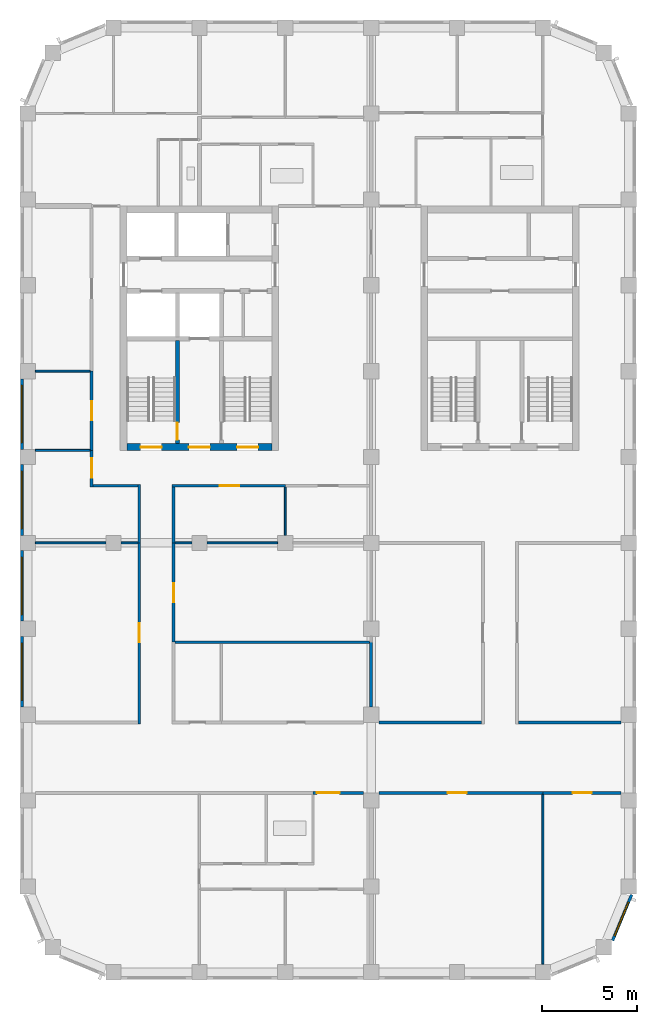
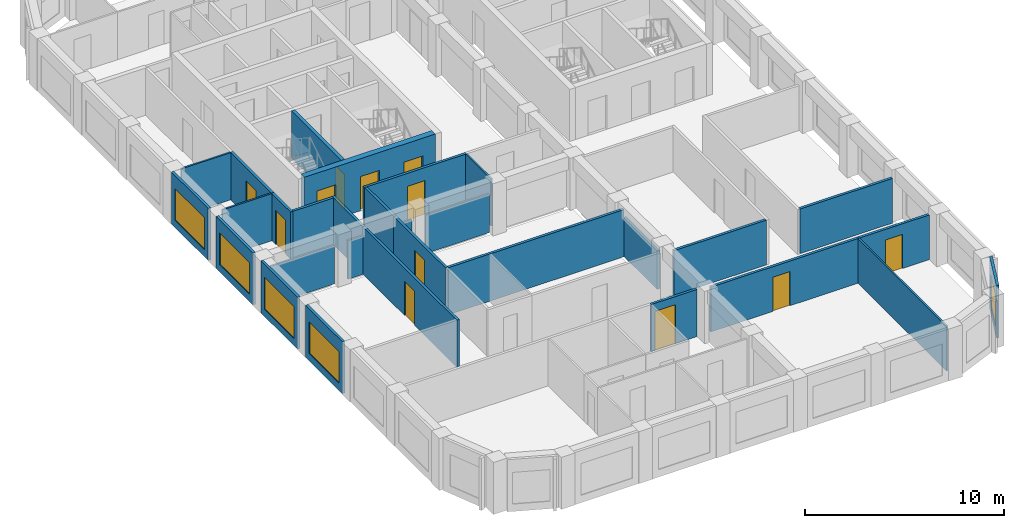
# One storey, part 3 of 9: 30 walls, 12 doors, 5 windows, 17 openings.
"""IFC4 building model written with IfcOpenShell, lengths in metres."""

from ifc_helpers import new_model, si_unit, direction, frame, frame_2d, origin, place, context, subcontext, project, spatial, rectangle, extrude, material, layer, layer_set, type_object, element, fill, save


model = new_model("IFC4")

# Units and contexts
model_context = context("Model", 3, precision=1e-05, world=origin(), true_north=direction((0.0, 1.0)))
body_context = subcontext(model_context, "Body", "Model", "MODEL_VIEW")
ifc_project = project(units=[si_unit("LENGTHUNIT", "METRE"), si_unit("AREAUNIT", "SQUARE_METRE"), si_unit("VOLUMEUNIT", "CUBIC_METRE"), si_unit("PLANEANGLEUNIT", "RADIAN"), si_unit("MASSUNIT", "GRAM", prefix="KILO")], contexts=[model_context])

# Site, building, storey
site_placement = place(None, origin())
site = spatial("IfcSite", under=ifc_project, at=site_placement, CompositionType="ELEMENT")
building_placement = place(site_placement, origin())
building = spatial("IfcBuilding", under=site, at=building_placement, Name="Girih Gate Residences", CompositionType="ELEMENT")
storey_placement = place(building_placement, frame((0.0, 0.0, 213.294921875)))
storey = spatial("IfcBuildingStorey", under=building, at=storey_placement, Name="L59", CompositionType="ELEMENT", Elevation=213.294921875)

# Wall, opening, door
ifc_material_1 = material(Name="Gypsum board on steel studs", Category="steel")
ifc_layer_1 = layer(ifc_material_1, 0.14990234375)
ifc_layer_set_1 = layer_set([ifc_layer_1], Name="Compartment wall 150 mm")
wall_type_1 = type_object("IfcWallType", Name="Compartment wall 150 mm", PredefinedType="PARTITIONING", material=ifc_layer_set_1)
wall_1_placement = place(storey_placement, frame((17.60009765625, 9.39990234375, 0.0), z_axis=(0.0, 0.0, 1.0), x_axis=(-1.0, 0.0, 0.0)))
wall_1 = element("IfcWall", 1, at=wall_1_placement, inside=storey, type_object=wall_type_1, Name="L59 partition", PredefinedType="PARTITIONING", context=body_context, shape_type="SweptSolid", body=[
    extrude(rectangle(XDim=2.650146484375, YDim=0.14990234375, at=frame_2d((1.3251953125, 0.0))), origin(), (0.0, 0.0, 1.0), 2.900146484375),
])
opening_1_placement = place(wall_1_placement, frame((1.25, 0.0, 0.0)))
opening_1 = element("IfcOpeningElement", 2, at=opening_1_placement, cuts=wall_1, Name="Opening A59-006", PredefinedType="OPENING", context=body_context, shape_type="SweptSolid", body=[
    extrude(rectangle(XDim=1.199951171875, YDim=2.39990234375, at=frame_2d((0.60009765625, 1.199951171875))), frame((0.0, 0.0849609375, 0.0), z_axis=(0.0, -1.0, 0.0), x_axis=(1.0, 0.0, 0.0)), (0.0, 0.0, 1.0), 0.169921875),
])
ifc_material_2 = material(Name="Timber, fire-rated core", Category="wood")
door_type_1 = type_object("IfcDoorType", Name="Villa entrance door 1200x2400 FD30S", OperationType="NOTDEFINED", PredefinedType="DOOR", material=ifc_material_2)
door_1_placement = place(opening_1_placement, origin())
door_1 = element("IfcDoor", 3, at=door_1_placement, inside=storey, type_object=door_type_1, Name="Door A59-006", OperationType="SINGLE_SWING_RIGHT", OverallHeight=2.39990234375, OverallWidth=1.199951171875, PredefinedType="DOOR", context=body_context, shape_type="SweptSolid", body=[
    extrude(rectangle(XDim=1.199951171875, YDim=2.39990234375, at=frame_2d((0.60009765625, 1.199951171875))), frame((0.0, 0.02490234375, 0.0), z_axis=(0.0, -1.0, 0.0), x_axis=(1.0, 0.0, 0.0)), (0.0, 0.0, 1.0), 0.050048828125),
])
fill(opening_1, door_1)

wall_2_placement = place(storey_placement, frame((7.64990234375, 22.5, 0.0), z_axis=(0.0, 0.0, 1.0), x_axis=(0.0, -1.0, 0.0)))
wall_2 = element("IfcWall", 4, at=wall_2_placement, inside=storey, type_object=wall_type_1, Name="L59 partition", PredefinedType="PARTITIONING", context=body_context, shape_type="SweptSolid", body=[
    extrude(rectangle(XDim=5.199951171875, YDim=0.14990234375, at=frame_2d((2.60009765625, 0.0))), origin(), (0.0, 0.0, 1.0), 2.900146484375),
])
opening_2_placement = place(wall_2_placement, frame((2.10009765625, 0.0, 0.0)))
opening_2 = element("IfcOpeningElement", 5, at=opening_2_placement, cuts=wall_2, Name="Opening A59-023", PredefinedType="OPENING", context=body_context, shape_type="SweptSolid", body=[
    extrude(rectangle(XDim=1.0, YDim=2.10009765625, at=frame_2d((0.5, 1.050048828125))), frame((0.0, 0.0849609375, 0.0), z_axis=(0.0, -1.0, 0.0), x_axis=(1.0, 0.0, 0.0)), (0.0, 0.0, 1.0), 0.169921875),
])
door_type_2 = type_object("IfcDoorType", Name="Amenity room door 1000x2100 FD30S", OperationType="NOTDEFINED", PredefinedType="DOOR", material=ifc_material_2)
door_2_placement = place(opening_2_placement, origin())
door_2 = element("IfcDoor", 6, at=door_2_placement, inside=storey, type_object=door_type_2, Name="Door A59-023", OperationType="SINGLE_SWING_RIGHT", OverallHeight=2.10009765625, OverallWidth=1.0, PredefinedType="DOOR", context=body_context, shape_type="SweptSolid", body=[
    extrude(rectangle(XDim=1.0, YDim=2.10009765625, at=frame_2d((0.5, 1.050048828125))), frame((0.0, 0.02490234375, 0.0), z_axis=(0.0, -1.0, 0.0), x_axis=(1.0, 0.0, 0.0)), (0.0, 0.0, 1.0), 0.050048828125),
])
fill(opening_2, door_2)

# Wall
wall_3_placement = place(storey_placement, frame((7.72509765625, 17.300048828125, 0.0), z_axis=(0.0, 0.0, 1.0), x_axis=(1.0, 0.0, 0.0)))
element("IfcWall", 7, at=wall_3_placement, inside=storey, type_object=wall_type_1, Name="L59 partition", PredefinedType="PARTITIONING", context=body_context, shape_type="SweptSolid", body=[
    extrude(rectangle(XDim=10.199951171875, YDim=0.14990234375, at=frame_2d((5.10009765625, 0.0))), origin(), (0.0, 0.0, 1.0), 2.900146484375),
])

# Wall, opening, door
wall_4_placement = place(storey_placement, frame((27.0, 9.39990234375, 0.0), z_axis=(0.0, 0.0, 1.0), x_axis=(-1.0, 0.0, 0.0)))
wall_4 = element("IfcWall", 8, at=wall_4_placement, inside=storey, type_object=wall_type_1, Name="L59 partition", PredefinedType="PARTITIONING", context=body_context, shape_type="SweptSolid", body=[
    extrude(rectangle(XDim=8.60009765625, YDim=0.14990234375, at=frame_2d((4.300048828125, 0.0))), origin(), (0.0, 0.0, 1.0), 2.75),
])
opening_3_placement = place(wall_4_placement, frame((4.0, 0.0, 0.0)))
opening_3 = element("IfcOpeningElement", 9, at=opening_3_placement, cuts=wall_4, Name="Opening A59-025", PredefinedType="OPENING", context=body_context, shape_type="SweptSolid", body=[
    extrude(rectangle(XDim=1.0, YDim=2.10009765625, at=frame_2d((0.5, 1.050048828125))), frame((0.0, 0.0849609375, 0.0), z_axis=(0.0, -1.0, 0.0), x_axis=(1.0, 0.0, 0.0)), (0.0, 0.0, 1.0), 0.169921875),
])
door_3_placement = place(opening_3_placement, origin())
door_3 = element("IfcDoor", 10, at=door_3_placement, inside=storey, type_object=door_type_2, Name="Door A59-025", OperationType="SINGLE_SWING_RIGHT", OverallHeight=2.10009765625, OverallWidth=1.0, PredefinedType="DOOR", context=body_context, shape_type="SweptSolid", body=[
    extrude(rectangle(XDim=1.0, YDim=2.10009765625, at=frame_2d((0.5, 1.050048828125))), frame((0.0, 0.02490234375, 0.0), z_axis=(0.0, -1.0, 0.0), x_axis=(1.0, 0.0, 0.0)), (0.0, 0.0, 1.0), 0.050048828125),
])
fill(opening_3, door_3)

wall_5_placement = place(storey_placement, frame((31.10009765625, 9.39990234375, 0.0), z_axis=(0.0, 0.0, 1.0), x_axis=(-1.0, 0.0, 0.0)))
wall_5 = element("IfcWall", 11, at=wall_5_placement, inside=storey, type_object=wall_type_1, Name="L59 partition", PredefinedType="PARTITIONING", context=body_context, shape_type="SweptSolid", body=[
    extrude(rectangle(XDim=4.10009765625, YDim=0.14990234375, at=frame_2d((2.050048828125, 0.0))), origin(), (0.0, 0.0, 1.0), 2.75),
])
opening_4_placement = place(wall_5_placement, frame((1.550048828125, 0.0, 0.0)))
opening_4 = element("IfcOpeningElement", 12, at=opening_4_placement, cuts=wall_5, Name="Opening A59-026", PredefinedType="OPENING", context=body_context, shape_type="SweptSolid", body=[
    extrude(rectangle(XDim=1.0, YDim=2.10009765625, at=frame_2d((0.5, 1.050048828125))), frame((0.0, 0.0849609375, 0.0), z_axis=(0.0, -1.0, 0.0), x_axis=(1.0, 0.0, 0.0)), (0.0, 0.0, 1.0), 0.169921875),
])
door_4_placement = place(opening_4_placement, origin())
door_4 = element("IfcDoor", 13, at=door_4_placement, inside=storey, type_object=door_type_2, Name="Door A59-026", OperationType="SINGLE_SWING_RIGHT", OverallHeight=2.10009765625, OverallWidth=1.0, PredefinedType="DOOR", context=body_context, shape_type="SweptSolid", body=[
    extrude(rectangle(XDim=1.0, YDim=2.10009765625, at=frame_2d((0.5, 1.050048828125))), frame((0.0, 0.02490234375, 0.0), z_axis=(0.0, -1.0, 0.0), x_axis=(1.0, 0.0, 0.0)), (0.0, 0.0, 1.0), 0.050048828125),
])
fill(opening_4, door_4)

# Walls
for number, where, z_axis, x_axis, name in (
    (14, (18.39990234375, 13.10009765625, 0.0), (0.0, 0.0, 1.0), (1.0, 0.0, 0.0), "L59 partition"),
    (15, (25.72509765625, 13.10009765625, 0.0), (0.0, 0.0, 1.0), (1.0, 0.0, 0.0), "L59 partition"),
):
    element("IfcWall", number, at=place(storey_placement, frame(where, z_axis=z_axis, x_axis=x_axis)), inside=storey, type_object=wall_type_1, Name=name, PredefinedType="PARTITIONING", context=body_context, shape_type="SweptSolid", body=[
        extrude(rectangle(XDim=5.375, YDim=0.14990234375, at=frame_2d((2.6875, 0.0))), origin(), (0.0, 0.0, 1.0), 2.75),
    ])
wall_6_placement = place(storey_placement, frame((18.0, 13.89990234375, 0.0), z_axis=(0.0, 0.0, 1.0), x_axis=(0.0, 1.0, 0.0)))
element("IfcWall", 16, at=wall_6_placement, inside=storey, type_object=wall_type_1, Name="L59 partition", PredefinedType="PARTITIONING", context=body_context, shape_type="SweptSolid", body=[
    extrude(rectangle(XDim=3.400146484375, YDim=0.14990234375, at=frame_2d((1.7001953125, 0.0))), origin(), (0.0, 0.0, 1.0), 2.380126953125),
])
wall_7_placement = place(storey_placement, frame((5.85009765625, 22.5, 0.0), z_axis=(0.0, 0.0, 1.0), x_axis=(0.0, 1.0, 0.0)))
element("IfcWall", 17, at=wall_7_placement, inside=storey, type_object=wall_type_1, Name="L59 partition", PredefinedType="PARTITIONING", context=body_context, shape_type="SweptSolid", body=[
    extrude(rectangle(XDim=3.074951171875, YDim=0.14990234375, at=frame_2d((1.53759765625, 0.0))), origin(), (0.0, 0.0, 1.0), 2.900146484375),
])
wall_8_placement = place(storey_placement, frame((3.425048828125, 25.5, 0.0), z_axis=(0.0, 0.0, 1.0), x_axis=(1.0, 0.0, 0.0)))
element("IfcWall", 18, at=wall_8_placement, inside=storey, type_object=wall_type_1, Name="L59 partition", PredefinedType="PARTITIONING", context=body_context, shape_type="SweptSolid", body=[
    extrude(rectangle(XDim=2.349853515625, YDim=0.14990234375, at=frame_2d((1.1748046875, 0.0))), origin(), (0.0, 0.0, 1.0), 2.900146484375),
])

# Wall, opening, door
wall_9_placement = place(storey_placement, frame((3.35009765625, 25.425048828125, 0.0), z_axis=(0.0, 0.0, 1.0), x_axis=(0.0, 1.0, 0.0)))
wall_9 = element("IfcWall", 19, at=wall_9_placement, inside=storey, type_object=wall_type_1, Name="L59 partition", PredefinedType="PARTITIONING", context=body_context, shape_type="SweptSolid", body=[
    extrude(rectangle(XDim=1.925048828125, YDim=0.14990234375, at=frame_2d((0.96240234375, 0.0))), origin(), (0.0, 0.0, 1.0), 2.900146484375),
])
opening_5_placement = place(wall_9_placement, frame((0.5, 0.0, 0.0)))
opening_5 = element("IfcOpeningElement", 20, at=opening_5_placement, cuts=wall_9, Name="Opening A59-031", PredefinedType="OPENING", context=body_context, shape_type="SweptSolid", body=[
    extrude(rectangle(XDim=1.0, YDim=2.10009765625, at=frame_2d((0.5, 1.050048828125))), frame((0.0, 0.0849609375, 0.0), z_axis=(0.0, -1.0, 0.0), x_axis=(1.0, 0.0, 0.0)), (0.0, 0.0, 1.0), 0.169921875),
])
door_5_placement = place(opening_5_placement, origin())
door_5 = element("IfcDoor", 21, at=door_5_placement, inside=storey, type_object=door_type_2, Name="Door A59-031", OperationType="SINGLE_SWING_RIGHT", OverallHeight=2.10009765625, OverallWidth=1.0, PredefinedType="DOOR", context=body_context, shape_type="SweptSolid", body=[
    extrude(rectangle(XDim=1.0, YDim=2.10009765625, at=frame_2d((0.5, 1.050048828125))), frame((0.0, 0.02490234375, 0.0), z_axis=(0.0, -1.0, 0.0), x_axis=(1.0, 0.0, 0.0)), (0.0, 0.0, 1.0), 0.050048828125),
])
fill(opening_5, door_5)

wall_10_placement = place(storey_placement, frame((13.5, 25.5, 0.0), z_axis=(0.0, 0.0, 1.0), x_axis=(-1.0, 0.0, 0.0)))
wall_10 = element("IfcWall", 22, at=wall_10_placement, inside=storey, type_object=wall_type_1, Name="L59 partition", PredefinedType="PARTITIONING", context=body_context, shape_type="SweptSolid", body=[
    extrude(rectangle(XDim=5.925048828125, YDim=0.14990234375, at=frame_2d((2.96240234375, 0.0))), origin(), (0.0, 0.0, 1.0), 2.900146484375),
])
opening_6_placement = place(wall_10_placement, frame((2.425048828125, 0.0, 0.0)))
opening_6 = element("IfcOpeningElement", 23, at=opening_6_placement, cuts=wall_10, Name="Opening A59-032", PredefinedType="OPENING", context=body_context, shape_type="SweptSolid", body=[
    extrude(rectangle(XDim=1.0, YDim=2.10009765625, at=frame_2d((0.5, 1.050048828125))), frame((0.0, 0.0849609375, 0.0), z_axis=(0.0, -1.0, 0.0), x_axis=(1.0, 0.0, 0.0)), (0.0, 0.0, 1.0), 0.169921875),
])
door_6_placement = place(opening_6_placement, origin())
door_6 = element("IfcDoor", 24, at=door_6_placement, inside=storey, type_object=door_type_2, Name="Door A59-032", OperationType="SINGLE_SWING_LEFT", OverallHeight=2.10009765625, OverallWidth=1.0, PredefinedType="DOOR", context=body_context, shape_type="SweptSolid", body=[
    extrude(rectangle(XDim=1.0, YDim=2.10009765625, at=frame_2d((0.5, 1.050048828125))), frame((0.0, 0.02490234375, 0.0), z_axis=(0.0, -1.0, 0.0), x_axis=(1.0, 0.0, 0.0)), (0.0, 0.0, 1.0), 0.050048828125),
])
fill(opening_6, door_6)

# Wall
wall_11_placement = place(storey_placement, frame((7.64990234375, 22.5, 0.0), z_axis=(0.0, 0.0, 1.0), x_axis=(0.0, 1.0, 0.0)))
element("IfcWall", 25, at=wall_11_placement, inside=storey, type_object=wall_type_1, Name="L59 partition", PredefinedType="PARTITIONING", context=body_context, shape_type="SweptSolid", body=[
    extrude(rectangle(XDim=2.925048828125, YDim=0.14990234375, at=frame_2d((1.46240234375, 0.0))), origin(), (0.0, 0.0, 1.0), 2.900146484375),
])

# Wall, opening, door
wall_12_placement = place(storey_placement, frame((3.35009765625, 27.35009765625, 0.0), z_axis=(0.0, 0.0, 1.0), x_axis=(0.0, 1.0, 0.0)))
wall_12 = element("IfcWall", 26, at=wall_12_placement, inside=storey, type_object=wall_type_1, Name="L59 partition", PredefinedType="PARTITIONING", context=body_context, shape_type="SweptSolid", body=[
    extrude(rectangle(XDim=4.14990234375, YDim=0.14990234375, at=frame_2d((2.074951171875, 0.0))), origin(), (0.0, 0.0, 1.0), 2.900146484375),
])
opening_7_placement = place(wall_12_placement, frame((1.574951171875, 0.0, 0.0)))
opening_7 = element("IfcOpeningElement", 27, at=opening_7_placement, cuts=wall_12, Name="Opening A59-034", PredefinedType="OPENING", context=body_context, shape_type="SweptSolid", body=[
    extrude(rectangle(XDim=1.0, YDim=2.10009765625, at=frame_2d((0.5, 1.050048828125))), frame((0.0, 0.0849609375, 0.0), z_axis=(0.0, -1.0, 0.0), x_axis=(1.0, 0.0, 0.0)), (0.0, 0.0, 1.0), 0.169921875),
])
door_7_placement = place(opening_7_placement, origin())
door_7 = element("IfcDoor", 28, at=door_7_placement, inside=storey, type_object=door_type_2, Name="Door A59-034", OperationType="SINGLE_SWING_RIGHT", OverallHeight=2.10009765625, OverallWidth=1.0, PredefinedType="DOOR", context=body_context, shape_type="SweptSolid", body=[
    extrude(rectangle(XDim=1.0, YDim=2.10009765625, at=frame_2d((0.5, 1.050048828125))), frame((0.0, 0.02490234375, 0.0), z_axis=(0.0, -1.0, 0.0), x_axis=(1.0, 0.0, 0.0)), (0.0, 0.0, 1.0), 0.050048828125),
])
fill(opening_7, door_7)

wall_13_placement = place(storey_placement, frame((5.85009765625, 13.02490234375, 0.0), z_axis=(0.0, 0.0, 1.0), x_axis=(0.0, 1.0, 0.0)))
wall_13 = element("IfcWall", 29, at=wall_13_placement, inside=storey, type_object=wall_type_1, Name="L59 partition", PredefinedType="PARTITIONING", context=body_context, shape_type="SweptSolid", body=[
    extrude(rectangle(XDim=9.47509765625, YDim=0.14990234375, at=frame_2d((4.737548828125, 0.0))), origin(), (0.0, 0.0, 1.0), 2.900146484375),
])
opening_8_placement = place(wall_13_placement, frame((4.27490234375, 0.0, 0.0)))
opening_8 = element("IfcOpeningElement", 30, at=opening_8_placement, cuts=wall_13, Name="Opening A59-036", PredefinedType="OPENING", context=body_context, shape_type="SweptSolid", body=[
    extrude(rectangle(XDim=1.0, YDim=2.10009765625, at=frame_2d((0.5, 1.050048828125))), frame((0.0, 0.0849609375, 0.0), z_axis=(0.0, -1.0, 0.0), x_axis=(1.0, 0.0, 0.0)), (0.0, 0.0, 1.0), 0.169921875),
])
door_8_placement = place(opening_8_placement, origin())
door_8 = element("IfcDoor", 31, at=door_8_placement, inside=storey, type_object=door_type_2, Name="Door A59-036", OperationType="SINGLE_SWING_RIGHT", OverallHeight=2.10009765625, OverallWidth=1.0, PredefinedType="DOOR", context=body_context, shape_type="SweptSolid", body=[
    extrude(rectangle(XDim=1.0, YDim=2.10009765625, at=frame_2d((0.5, 1.050048828125))), frame((0.0, 0.02490234375, 0.0), z_axis=(0.0, -1.0, 0.0), x_axis=(1.0, 0.0, 0.0)), (0.0, 0.0, 1.0), 0.050048828125),
])
fill(opening_8, door_8)

# Wall, openings, doors
ifc_material_3 = material(Name="Concrete C60/75", Category="concrete")
ifc_layer_2 = layer(ifc_material_3, 0.35009765625)
ifc_layer_set_2 = layer_set([ifc_layer_2], Name="Core wall RC 350 Concrete C60/75")
wall_type_2 = type_object("IfcWallType", Name="Core wall RC 350 Concrete C60/75", PredefinedType="SOLIDWALL", material=ifc_layer_set_2)
wall_14_placement = place(storey_placement, frame((5.199951171875, 27.52490234375, 0.0), z_axis=(0.0, 0.0, 1.0), x_axis=(1.0, 0.0, 0.0)))
wall_14 = element("IfcWall", 32, at=wall_14_placement, inside=storey, type_object=wall_type_2, Name="Core wall W-S L59", PredefinedType="SOLIDWALL", context=body_context, shape_type="SweptSolid", body=[
    extrude(rectangle(XDim=7.60009765625, YDim=0.35009765625, at=frame_2d((3.800048828125, 0.0))), origin(), (0.0, 0.0, 1.0), 3.2001953125),
])
opening_9_placement = place(wall_14_placement, frame((0.72509765625, 0.0, 0.0)))
opening_9 = element("IfcOpeningElement", 33, at=opening_9_placement, cuts=wall_14, Name="Opening D-L59-W-009", PredefinedType="OPENING", context=body_context, shape_type="SweptSolid", body=[
    extrude(rectangle(XDim=1.10009765625, YDim=2.10009765625, at=frame_2d((0.550048828125, 1.050048828125))), frame((0.0, 0.18505859375, 0.0), z_axis=(0.0, -1.0, 0.0), x_axis=(1.0, 0.0, 0.0)), (0.0, 0.0, 1.0), 0.3701171875),
])
opening_10_placement = place(wall_14_placement, frame((3.25, 0.0, 0.0)))
opening_10 = element("IfcOpeningElement", 34, at=opening_10_placement, cuts=wall_14, Name="Opening D-L59-W-010", PredefinedType="OPENING", context=body_context, shape_type="SweptSolid", body=[
    extrude(rectangle(XDim=1.10009765625, YDim=2.10009765625, at=frame_2d((0.550048828125, 1.050048828125))), frame((0.0, 0.18505859375, 0.0), z_axis=(0.0, -1.0, 0.0), x_axis=(1.0, 0.0, 0.0)), (0.0, 0.0, 1.0), 0.3701171875),
])
opening_11_placement = place(wall_14_placement, frame((5.77490234375, 0.0, 0.0)))
opening_11 = element("IfcOpeningElement", 35, at=opening_11_placement, cuts=wall_14, Name="Opening D-L59-W-011", PredefinedType="OPENING", context=body_context, shape_type="SweptSolid", body=[
    extrude(rectangle(XDim=1.10009765625, YDim=2.10009765625, at=frame_2d((0.550048828125, 1.050048828125))), frame((0.0, 0.18505859375, 0.0), z_axis=(0.0, -1.0, 0.0), x_axis=(1.0, 0.0, 0.0)), (0.0, 0.0, 1.0), 0.3701171875),
])
ifc_material_4 = material(Name="Painted steel, fire-resisting", Category="steel")
door_type_3 = type_object("IfcDoorType", Name="Fire door 1100x2100", OperationType="SINGLE_SWING_LEFT", PredefinedType="DOOR", material=ifc_material_4)
door_9_placement = place(opening_9_placement, origin())
door_9 = element("IfcDoor", 36, at=door_9_placement, inside=storey, type_object=door_type_3, Name="L59 W core door sta-out", OperationType="SINGLE_SWING_LEFT", OverallHeight=2.10009765625, OverallWidth=1.10009765625, PredefinedType="DOOR", context=body_context, shape_type="SweptSolid", body=[
    extrude(rectangle(XDim=1.10009765625, YDim=2.10009765625, at=frame_2d((0.550048828125, 1.050048828125))), frame((0.0, 0.02490234375, 0.0), z_axis=(0.0, -1.0, 0.0), x_axis=(1.0, 0.0, 0.0)), (0.0, 0.0, 1.0), 0.050048828125),
])
fill(opening_9, door_9)
door_10_placement = place(opening_10_placement, origin())
door_10 = element("IfcDoor", 37, at=door_10_placement, inside=storey, type_object=door_type_3, Name="L59 W core door ffl-out", OperationType="SINGLE_SWING_LEFT", OverallHeight=2.10009765625, OverallWidth=1.10009765625, PredefinedType="DOOR", context=body_context, shape_type="SweptSolid", body=[
    extrude(rectangle(XDim=1.10009765625, YDim=2.10009765625, at=frame_2d((0.550048828125, 1.050048828125))), frame((0.0, 0.02490234375, 0.0), z_axis=(0.0, -1.0, 0.0), x_axis=(1.0, 0.0, 0.0)), (0.0, 0.0, 1.0), 0.050048828125),
])
fill(opening_10, door_10)
door_11_placement = place(opening_11_placement, origin())
door_11 = element("IfcDoor", 38, at=door_11_placement, inside=storey, type_object=door_type_3, Name="L59 W core door stb-out", OperationType="SINGLE_SWING_LEFT", OverallHeight=2.10009765625, OverallWidth=1.10009765625, PredefinedType="DOOR", context=body_context, shape_type="SweptSolid", body=[
    extrude(rectangle(XDim=1.10009765625, YDim=2.10009765625, at=frame_2d((0.550048828125, 1.050048828125))), frame((0.0, 0.02490234375, 0.0), z_axis=(0.0, -1.0, 0.0), x_axis=(1.0, 0.0, 0.0)), (0.0, 0.0, 1.0), 0.050048828125),
])
fill(opening_11, door_11)

# Walls
ifc_layer_3 = layer(ifc_material_1, 0.10009765625)
ifc_layer_set_3 = layer_set([ifc_layer_3], Name="Partition 100 mm")
wall_type_3 = type_object("IfcWallType", Name="Partition 100 mm", PredefinedType="PARTITIONING", material=ifc_layer_set_3)
wall_15_placement = place(storey_placement, frame((7.72509765625, 22.5, 0.0), z_axis=(0.0, 0.0, 1.0), x_axis=(1.0, 0.0, 0.0)))
element("IfcWall", 39, at=wall_15_placement, inside=storey, type_object=wall_type_3, Name="L59 partition", PredefinedType="PARTITIONING", context=body_context, shape_type="SweptSolid", body=[
    extrude(rectangle(XDim=0.875, YDim=0.10009765625, at=frame_2d((0.4375, 0.0))), origin(), (0.0, 0.0, 1.0), 2.380126953125),
])
wall_16_placement = place(storey_placement, frame((9.39990234375, 22.5, 0.0), z_axis=(0.0, 0.0, 1.0), x_axis=(1.0, 0.0, 0.0)))
element("IfcWall", 40, at=wall_16_placement, inside=storey, type_object=wall_type_3, Name="L59 partition", PredefinedType="PARTITIONING", context=body_context, shape_type="SweptSolid", body=[
    extrude(rectangle(XDim=3.7001953125, YDim=0.10009765625, at=frame_2d((1.85009765625, 0.0))), origin(), (0.0, 0.0, 1.0), 2.380126953125),
])
wall_17_placement = place(storey_placement, frame((27.0, 0.432861328125, 0.0), z_axis=(0.0, 0.0, 1.0), x_axis=(0.0, 1.0, 0.0)))
element("IfcWall", 41, at=wall_17_placement, inside=storey, type_object=wall_type_3, Name="L59 partition", PredefinedType="PARTITIONING", context=body_context, shape_type="SweptSolid", body=[
    extrude(rectangle(XDim=8.89208984375, YDim=0.10009765625, at=frame_2d((4.446044921875, 0.0))), origin(), (0.0, 0.0, 1.0), 2.75),
])
wall_18_placement = place(storey_placement, frame((0.39990234375, 27.35009765625, 0.0), z_axis=(0.0, 0.0, 1.0), x_axis=(1.0, 0.0, 0.0)))
element("IfcWall", 42, at=wall_18_placement, inside=storey, type_object=wall_type_3, Name="L59 partition", PredefinedType="PARTITIONING", context=body_context, shape_type="SweptSolid", body=[
    extrude(rectangle(XDim=2.875, YDim=0.10009765625, at=frame_2d((1.4375, 0.0))), origin(), (0.0, 0.0, 1.0), 2.900146484375),
])
wall_19_placement = place(storey_placement, frame((4.89990234375, 22.5, 0.0), z_axis=(0.0, 0.0, 1.0), x_axis=(1.0, 0.0, 0.0)))
element("IfcWall", 43, at=wall_19_placement, inside=storey, type_object=wall_type_3, Name="L59 partition", PredefinedType="PARTITIONING", context=body_context, shape_type="SweptSolid", body=[
    extrude(rectangle(XDim=0.875, YDim=0.10009765625, at=frame_2d((0.4375, 0.0))), origin(), (0.0, 0.0, 1.0), 2.380126953125),
])
wall_20_placement = place(storey_placement, frame((0.39990234375, 22.5, 0.0), z_axis=(0.0, 0.0, 1.0), x_axis=(1.0, 0.0, 0.0)))
element("IfcWall", 44, at=wall_20_placement, inside=storey, type_object=wall_type_3, Name="L59 partition", PredefinedType="PARTITIONING", context=body_context, shape_type="SweptSolid", body=[
    extrude(rectangle(XDim=3.7001953125, YDim=0.10009765625, at=frame_2d((1.85009765625, 0.0))), origin(), (0.0, 0.0, 1.0), 2.380126953125),
])
wall_21_placement = place(storey_placement, frame((13.5, 22.89990234375, 0.0), z_axis=(0.0, 0.0, 1.0), x_axis=(0.0, 1.0, 0.0)))
element("IfcWall", 45, at=wall_21_placement, inside=storey, type_object=wall_type_3, Name="L59 partition", PredefinedType="PARTITIONING", context=body_context, shape_type="SweptSolid", body=[
    extrude(rectangle(XDim=2.525146484375, YDim=0.10009765625, at=frame_2d((1.2626953125, 0.0))), origin(), (0.0, 0.0, 1.0), 2.900146484375),
])
wall_22_placement = place(storey_placement, frame((0.39990234375, 31.5, 0.0), z_axis=(0.0, 0.0, 1.0), x_axis=(1.0, 0.0, 0.0)))
element("IfcWall", 46, at=wall_22_placement, inside=storey, type_object=wall_type_3, Name="L59 partition", PredefinedType="PARTITIONING", context=body_context, shape_type="SweptSolid", body=[
    extrude(rectangle(XDim=2.875, YDim=0.10009765625, at=frame_2d((1.4375, 0.0))), origin(), (0.0, 0.0, 1.0), 2.900146484375),
])

# Wall, opening, window
ifc_material_5 = material(Name="Precast concrete C50/60", Category="concrete")
ifc_layer_4 = layer(ifc_material_5, 0.050048828125, Name="Outer leaf")
ifc_material_6 = material(Name="Rigid PIR insulation")
ifc_layer_5 = layer(ifc_material_6, 0.06005859375, Name="Insulation")
ifc_material_7 = material(Name="Precast concrete C40/50", Category="concrete")
ifc_layer_6 = layer(ifc_material_7, 0.0400390625, Name="Inner leaf")
ifc_layer_set_4 = layer_set([ifc_layer_4, ifc_layer_5, ifc_layer_6], Name="Precast concrete C50/60 external wall 150")
wall_type_4 = type_object("IfcWallType", Name="Precast concrete C50/60 external wall 150", PredefinedType="SOLIDWALL", material=ifc_layer_set_4)
wall_23_placement = place(storey_placement, frame((31.647216796875, 4.0712890625, 0.0), z_axis=(0.0, 0.0, 1.0), x_axis=(-0.382669406082, -0.923885342263, 0.0)))
wall_23 = element("IfcWall", 47, at=wall_23_placement, inside=storey, type_object=wall_type_4, Name="External wall SE0302_0013.0", PredefinedType="SOLIDWALL", context=body_context, shape_type="SweptSolid", body=[
    extrude(rectangle(XDim=2.602294921875, YDim=0.14990234375, at=frame_2d((1.30126953125, 0.0))), origin(), (0.0, 0.0, 1.0), 3.2001953125),
])
opening_12_placement = place(wall_23_placement, frame((0.432373046875, 0.0, 0.449951171875)))
opening_12 = element("IfcOpeningElement", 48, at=opening_12_placement, cuts=wall_23, Name="Opening W-2G", PredefinedType="OPENING", context=body_context, shape_type="SweptSolid", body=[
    extrude(rectangle(XDim=1.89990234375, YDim=1.949951171875, at=frame_2d((0.949951171875, 0.97509765625))), frame((0.0, 0.0849609375, 0.0), z_axis=(0.0, -1.0, 0.0), x_axis=(1.0, 0.0, 0.0)), (0.0, 0.0, 1.0), 0.169921875),
])
ifc_material_8 = material(Name="Double glazing in aluminium frame", Category="aluminium")
window_type_1 = type_object("IfcWindowType", Name="Window W-2G 1900x1950", PartitioningType="SINGLE_PANEL", PredefinedType="WINDOW", material=ifc_material_8)
window_1_placement = place(opening_12_placement, origin())
window_1 = element("IfcWindow", 49, at=window_1_placement, inside=storey, type_object=window_type_1, Name="Window W-2G SE0302_0013.0", OverallHeight=1.949951171875, OverallWidth=1.89990234375, PartitioningType="SINGLE_PANEL", PredefinedType="WINDOW", context=body_context, shape_type="SweptSolid", body=[
    extrude(rectangle(XDim=1.89990234375, YDim=1.949951171875, at=frame_2d((0.949951171875, 0.97509765625))), frame((0.0, 0.030029296875, 0.0), z_axis=(0.0, -1.0, 0.0), x_axis=(1.0, 0.0, 0.0)), (0.0, 0.0, 1.0), 0.06005859375),
])
fill(opening_12, window_1)

wall_24_placement = place(storey_placement, frame((-0.300048828125, 27.39990234375, 0.0), z_axis=(0.0, 0.0, 1.0), x_axis=(0.0, 1.0, 0.0)))
wall_24 = element("IfcWall", 50, at=wall_24_placement, inside=storey, type_object=wall_type_4, Name="External wall W0000_0450.3", PredefinedType="SOLIDWALL", context=body_context, shape_type="SweptSolid", body=[
    extrude(rectangle(XDim=3.7001953125, YDim=0.14990234375, at=frame_2d((1.85009765625, 0.0))), origin(), (0.0, 0.0, 1.0), 3.2001953125),
])
opening_13_placement = place(wall_24_placement, frame((0.35009765625, 0.0, 0.449951171875)))
opening_13 = element("IfcOpeningElement", 51, at=opening_13_placement, cuts=wall_24, Name="Opening W-1D", PredefinedType="OPENING", context=body_context, shape_type="SweptSolid", body=[
    extrude(rectangle(XDim=3.0, YDim=1.949951171875, at=frame_2d((1.5, 0.97509765625))), frame((0.0, 0.0849609375, 0.0), z_axis=(0.0, -1.0, 0.0), x_axis=(1.0, 0.0, 0.0)), (0.0, 0.0, 1.0), 0.169921875),
])
window_type_2 = type_object("IfcWindowType", Name="Window W-1D 3000x1950", PartitioningType="SINGLE_PANEL", PredefinedType="WINDOW", material=ifc_material_8)
window_2_placement = place(opening_13_placement, origin())
window_2 = element("IfcWindow", 52, at=window_2_placement, inside=storey, type_object=window_type_2, Name="Window W-1D W0000_0450.3", OverallHeight=1.949951171875, OverallWidth=3.0, PartitioningType="SINGLE_PANEL", PredefinedType="WINDOW", context=body_context, shape_type="SweptSolid", body=[
    extrude(rectangle(XDim=3.0, YDim=1.949951171875, at=frame_2d((1.5, 0.97509765625))), frame((0.0, 0.030029296875, 0.0), z_axis=(0.0, -1.0, 0.0), x_axis=(1.0, 0.0, 0.0)), (0.0, 0.0, 1.0), 0.06005859375),
])
fill(opening_13, window_2)

wall_25_placement = place(storey_placement, frame((-0.300048828125, 22.89990234375, 0.0), z_axis=(0.0, 0.0, 1.0), x_axis=(0.0, 1.0, 0.0)))
wall_25 = element("IfcWall", 53, at=wall_25_placement, inside=storey, type_object=wall_type_4, Name="External wall W0000_0450.4", PredefinedType="SOLIDWALL", context=body_context, shape_type="SweptSolid", body=[
    extrude(rectangle(XDim=3.7001953125, YDim=0.14990234375, at=frame_2d((1.85009765625, 0.0))), origin(), (0.0, 0.0, 1.0), 3.2001953125),
])
opening_14_placement = place(wall_25_placement, frame((0.35009765625, 0.0, 0.449951171875)))
opening_14 = element("IfcOpeningElement", 54, at=opening_14_placement, cuts=wall_25, Name="Opening W-1D", PredefinedType="OPENING", context=body_context, shape_type="SweptSolid", body=[
    extrude(rectangle(XDim=3.0, YDim=1.949951171875, at=frame_2d((1.5, 0.97509765625))), frame((0.0, 0.0849609375, 0.0), z_axis=(0.0, -1.0, 0.0), x_axis=(1.0, 0.0, 0.0)), (0.0, 0.0, 1.0), 0.169921875),
])
window_3_placement = place(opening_14_placement, origin())
window_3 = element("IfcWindow", 55, at=window_3_placement, inside=storey, type_object=window_type_2, Name="Window W-1D W0000_0450.4", OverallHeight=1.949951171875, OverallWidth=3.0, PartitioningType="SINGLE_PANEL", PredefinedType="WINDOW", context=body_context, shape_type="SweptSolid", body=[
    extrude(rectangle(XDim=3.0, YDim=1.949951171875, at=frame_2d((1.5, 0.97509765625))), frame((0.0, 0.030029296875, 0.0), z_axis=(0.0, -1.0, 0.0), x_axis=(1.0, 0.0, 0.0)), (0.0, 0.0, 1.0), 0.06005859375),
])
fill(opening_14, window_3)

wall_26_placement = place(storey_placement, frame((-0.300048828125, 18.39990234375, 0.0), z_axis=(0.0, 0.0, 1.0), x_axis=(0.0, 1.0, 0.0)))
wall_26 = element("IfcWall", 56, at=wall_26_placement, inside=storey, type_object=wall_type_4, Name="External wall W0000_0450.5", PredefinedType="SOLIDWALL", context=body_context, shape_type="SweptSolid", body=[
    extrude(rectangle(XDim=3.7001953125, YDim=0.14990234375, at=frame_2d((1.85009765625, 0.0))), origin(), (0.0, 0.0, 1.0), 3.2001953125),
])
opening_15_placement = place(wall_26_placement, frame((0.35009765625, 0.0, 0.449951171875)))
opening_15 = element("IfcOpeningElement", 57, at=opening_15_placement, cuts=wall_26, Name="Opening W-1D", PredefinedType="OPENING", context=body_context, shape_type="SweptSolid", body=[
    extrude(rectangle(XDim=3.0, YDim=1.949951171875, at=frame_2d((1.5, 0.97509765625))), frame((0.0, 0.0849609375, 0.0), z_axis=(0.0, -1.0, 0.0), x_axis=(1.0, 0.0, 0.0)), (0.0, 0.0, 1.0), 0.169921875),
])
window_4_placement = place(opening_15_placement, origin())
window_4 = element("IfcWindow", 58, at=window_4_placement, inside=storey, type_object=window_type_2, Name="Window W-1D W0000_0450.5", OverallHeight=1.949951171875, OverallWidth=3.0, PartitioningType="SINGLE_PANEL", PredefinedType="WINDOW", context=body_context, shape_type="SweptSolid", body=[
    extrude(rectangle(XDim=3.0, YDim=1.949951171875, at=frame_2d((1.5, 0.97509765625))), frame((0.0, 0.030029296875, 0.0), z_axis=(0.0, -1.0, 0.0), x_axis=(1.0, 0.0, 0.0)), (0.0, 0.0, 1.0), 0.06005859375),
])
fill(opening_15, window_4)

wall_27_placement = place(storey_placement, frame((-0.300048828125, 13.89990234375, 0.0), z_axis=(0.0, 0.0, 1.0), x_axis=(0.0, 1.0, 0.0)))
wall_27 = element("IfcWall", 59, at=wall_27_placement, inside=storey, type_object=wall_type_4, Name="External wall W0000_0450.6", PredefinedType="SOLIDWALL", context=body_context, shape_type="SweptSolid", body=[
    extrude(rectangle(XDim=3.7001953125, YDim=0.14990234375, at=frame_2d((1.85009765625, 0.0))), origin(), (0.0, 0.0, 1.0), 3.2001953125),
])
opening_16_placement = place(wall_27_placement, frame((0.35009765625, 0.0, 0.449951171875)))
opening_16 = element("IfcOpeningElement", 60, at=opening_16_placement, cuts=wall_27, Name="Opening W-1D", PredefinedType="OPENING", context=body_context, shape_type="SweptSolid", body=[
    extrude(rectangle(XDim=3.0, YDim=1.949951171875, at=frame_2d((1.5, 0.97509765625))), frame((0.0, 0.0849609375, 0.0), z_axis=(0.0, -1.0, 0.0), x_axis=(1.0, 0.0, 0.0)), (0.0, 0.0, 1.0), 0.169921875),
])
window_5_placement = place(opening_16_placement, origin())
window_5 = element("IfcWindow", 61, at=window_5_placement, inside=storey, type_object=window_type_2, Name="Window W-1D W0000_0450.6", OverallHeight=1.949951171875, OverallWidth=3.0, PartitioningType="SINGLE_PANEL", PredefinedType="WINDOW", context=body_context, shape_type="SweptSolid", body=[
    extrude(rectangle(XDim=3.0, YDim=1.949951171875, at=frame_2d((1.5, 0.97509765625))), frame((0.0, 0.030029296875, 0.0), z_axis=(0.0, -1.0, 0.0), x_axis=(1.0, 0.0, 0.0)), (0.0, 0.0, 1.0), 0.06005859375),
])
fill(opening_16, window_5)

# Wall, opening, door
ifc_material_9 = material(Name="Concrete C40/50", Category="concrete")
ifc_layer_7 = layer(ifc_material_9, 0.199951171875)
ifc_layer_set_5 = layer_set([ifc_layer_7], Name="Shaft wall 200")
wall_type_5 = type_object("IfcWallType", Name="Shaft wall 200", PredefinedType="SOLIDWALL", material=ifc_layer_set_5)
wall_28_placement = place(storey_placement, frame((7.85009765625, 27.699951171875, 0.0), z_axis=(0.0, 0.0, 1.0), x_axis=(0.0, 1.0, 0.0)))
wall_28 = element("IfcWall", 62, at=wall_28_placement, inside=storey, type_object=wall_type_5, Name="L59 W core wall V1a", PredefinedType="SOLIDWALL", context=body_context, shape_type="SweptSolid", body=[
    extrude(rectangle(XDim=5.400146484375, YDim=0.199951171875, at=frame_2d((2.7001953125, 0.0))), origin(), (0.0, 0.0, 1.0), 2.900146484375),
])
opening_17_placement = place(wall_28_placement, frame((0.199951171875, 0.0, 0.0)))
opening_17 = element("IfcOpeningElement", 63, at=opening_17_placement, cuts=wall_28, Name="Opening D-L59-W-001", PredefinedType="OPENING", context=body_context, shape_type="SweptSolid", body=[
    extrude(rectangle(XDim=0.89990234375, YDim=2.10009765625, at=frame_2d((0.449951171875, 1.050048828125))), frame((0.0, 0.10986328125, 0.0), z_axis=(0.0, -1.0, 0.0), x_axis=(1.0, 0.0, 0.0)), (0.0, 0.0, 1.0), 0.219970703125),
])
door_type_4 = type_object("IfcDoorType", Name="Fire door 900x2100", OperationType="SINGLE_SWING_LEFT", PredefinedType="DOOR", material=ifc_material_4)
door_12_placement = place(opening_17_placement, origin())
door_12 = element("IfcDoor", 64, at=door_12_placement, inside=storey, type_object=door_type_4, Name="L59 W door stair 1 to firefighting lobby", OperationType="SINGLE_SWING_LEFT", OverallHeight=2.10009765625, OverallWidth=0.89990234375, PredefinedType="DOOR", context=body_context, shape_type="SweptSolid", body=[
    extrude(rectangle(XDim=0.89990234375, YDim=2.10009765625, at=frame_2d((0.449951171875, 1.050048828125))), frame((0.0, 0.02490234375, 0.0), z_axis=(0.0, -1.0, 0.0), x_axis=(1.0, 0.0, 0.0)), (0.0, 0.0, 1.0), 0.050048828125),
])
fill(opening_17, door_12)

save(model, "model.ifc")
